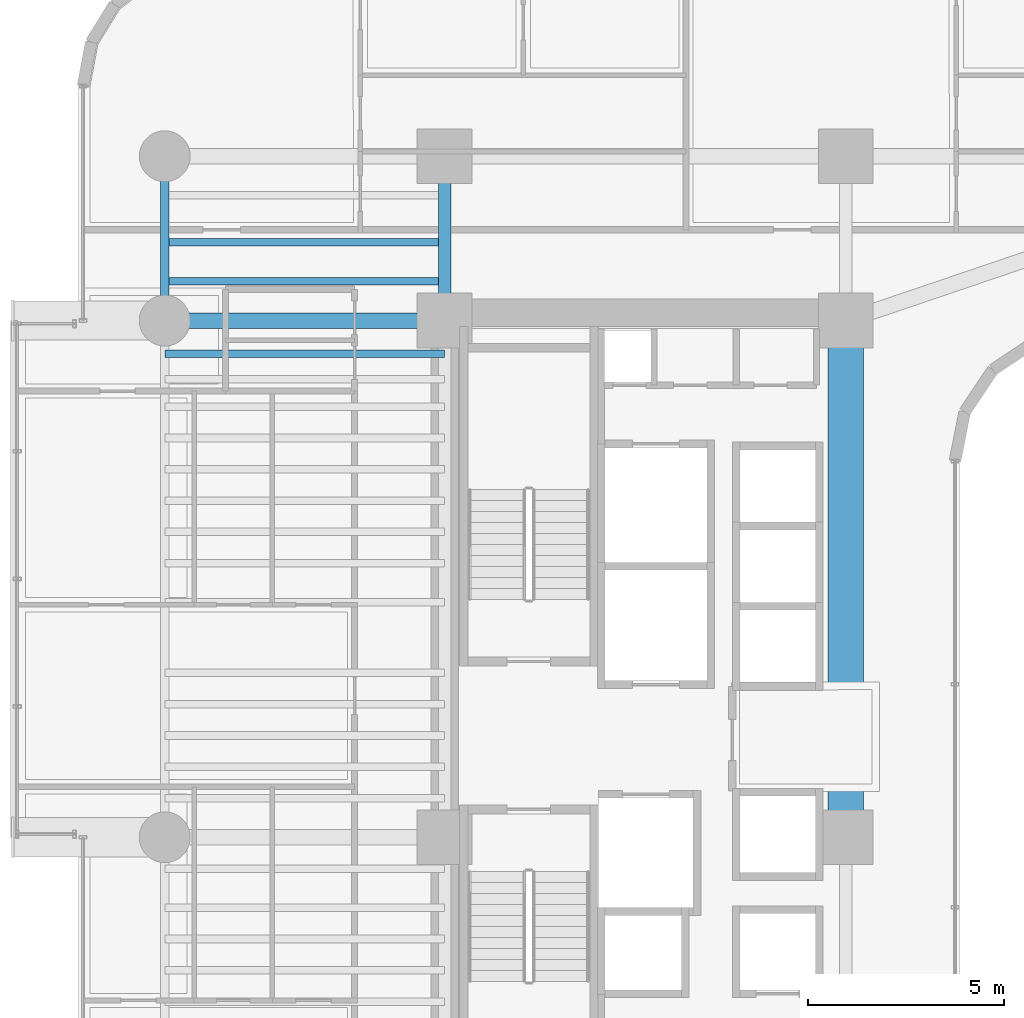
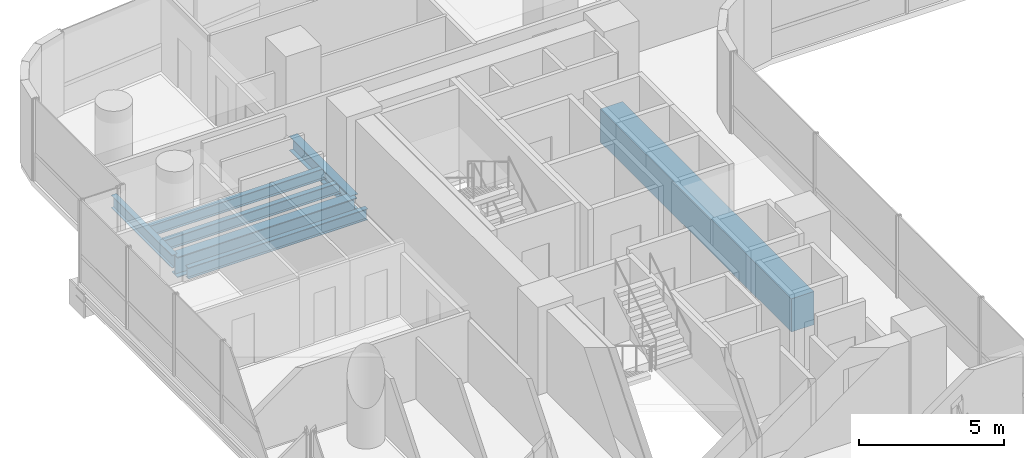
# One storey, part 9 of 40: 7 beams.
"""IFC4 building model written with IfcOpenShell, lengths in metres."""

from ifc_helpers import new_model, si_unit, direction, frame, origin, origin_2d, place, context, subcontext, project, spatial, rectangle, i_section, extrude, source, transform, mapped, material, material_profile, profile_set, type_object, element, save


model = new_model("IFC4")

# Units and contexts
model_context = context("Model", 3, precision=1e-05, world=origin(), true_north=direction((0.0, 1.0)))
body_context = subcontext(model_context, "Body", "Model", "MODEL_VIEW")
ifc_project = project(units=[si_unit("LENGTHUNIT", "METRE"), si_unit("AREAUNIT", "SQUARE_METRE"), si_unit("VOLUMEUNIT", "CUBIC_METRE"), si_unit("PLANEANGLEUNIT", "RADIAN"), si_unit("MASSUNIT", "GRAM", prefix="KILO")], contexts=[model_context])

# Site, building, storey
site_placement = place(None, origin())
site = spatial("IfcSite", under=ifc_project, at=site_placement, CompositionType="ELEMENT")
building_placement = place(site_placement, origin())
building = spatial("IfcBuilding", under=site, at=building_placement, Name="Valdorenza Pilgrim Sanctuary Tower", CompositionType="ELEMENT")
storey_placement = place(building_placement, frame((0.0, 0.0, 40.800048828125)))
storey = spatial("IfcBuildingStorey", under=building, at=storey_placement, Name="L09", CompositionType="ELEMENT", Elevation=40.800048828125)

# Beams
ifc_material_1 = material(Name="Concrete C60/75", Category="concrete")
ifc_material_profile_1 = material_profile(ifc_material_1, rectangle(XDim=0.89990234375, YDim=1.39990234375, at=origin_2d()), Name="RC 1400x900")
ifc_profile_set_1 = profile_set([ifc_material_profile_1], Name="Concrete C60/75")
beam_type_1 = type_object("IfcBeamType", Name="STR-BM-LNT-1400", PredefinedType="LINTEL", material=ifc_profile_set_1)
shared_shape_1 = source(origin(), body_context, "Body", "SweptSolid", [
    extrude(rectangle(XDim=0.89990234375, YDim=1.39990234375, at=origin_2d()), origin(), (0.0, 0.0, 1.0), 13.2001953125),
])
beam_1_placement = place(storey_placement, frame((-12.39990234375, -2.60009765625, -0.739990234375), z_axis=(0.0, 1.0, 0.0), x_axis=(-1.0, 0.0, 0.0)))
element("IfcBeam", 1, at=beam_1_placement, inside=storey, type_object=beam_type_1, Name="L09 Core A Coupling Lintel Girder", PredefinedType="LINTEL", context=body_context, shape_type="MappedRepresentation", body=[
    mapped(shared_shape_1, transform((0.0, 0.0, 0.0), x_axis=(1.0, 0.0, 0.0), y_axis=(0.0, 1.0, 0.0), z_axis=(0.0, 0.0, 1.0), scale=1.0)),
])
ifc_material_2 = material(Name="Steel ASTM A992 Grade 50", Category="steel")
ifc_material_profile_2 = material_profile(ifc_material_2, i_section(OverallWidth=0.214111328125, OverallDepth=0.549072265625, WebThickness=0.0146484375, FlangeThickness=0.023681640625, at=origin_2d()), Name="W21X93")
ifc_profile_set_2 = profile_set([ifc_material_profile_2], Name="Steel ASTM A992 Grade 50")
beam_type_2 = type_object("IfcBeamType", Name="STR-BM-SPN-W21A", PredefinedType="SPANDREL", material=ifc_profile_set_2)
shared_shape_2 = source(origin(), body_context, "Body", "SweptSolid", [
    extrude(i_section(OverallWidth=0.214111328125, OverallDepth=0.549072265625, WebThickness=0.0146484375, FlangeThickness=0.023681640625, at=origin_2d()), origin(), (0.0, 0.0, 1.0), 4.199951171875),
])
beam_2_placement = place(storey_placement, frame((-29.800048828125, 10.60009765625, -0.5146484375), z_axis=(0.0, 1.0, 0.0), x_axis=(-1.0, 0.0, 0.0)))
element("IfcBeam", 2, at=beam_2_placement, inside=storey, type_object=beam_type_2, Name="L09 Spandrel Beam WA-W-N1N2", PredefinedType="SPANDREL", context=body_context, shape_type="MappedRepresentation", body=[
    mapped(shared_shape_2, transform((0.0, 0.0, 0.0), x_axis=(1.0, 0.0, 0.0), y_axis=(0.0, 1.0, 0.0), z_axis=(0.0, 0.0, 1.0), scale=1.0)),
])
ifc_material_profile_3 = material_profile(ifc_material_2, i_section(OverallWidth=0.323974609375, OverallDepth=0.611083984375, WebThickness=0.0126953125, FlangeThickness=0.01904296875, at=origin_2d()), Name="W24X104")
ifc_profile_set_3 = profile_set([ifc_material_profile_3], Name="Steel ASTM A992 Grade 50")
beam_type_3 = type_object("IfcBeamType", Name="STR-BM-GRD-W24B", PredefinedType="BEAM", material=ifc_profile_set_3)
shared_shape_3 = source(origin(), body_context, "Body", "SweptSolid", [
    extrude(i_section(OverallWidth=0.323974609375, OverallDepth=0.611083984375, WebThickness=0.0126953125, FlangeThickness=0.01904296875, at=origin_2d()), origin(), (0.0, 0.0, 1.0), 4.199951171875),
])
beam_3_placement = place(storey_placement, frame((-22.64990234375, 10.60009765625, -0.545654296875), z_axis=(0.0, 1.0, 0.0), x_axis=(-1.0, 0.0, 0.0)))
element("IfcBeam", 3, at=beam_3_placement, inside=storey, type_object=beam_type_3, Name="L09 Core Tie Girder CA-W-N1N2", PredefinedType="BEAM", context=body_context, shape_type="MappedRepresentation", body=[
    mapped(shared_shape_3, transform((0.0, 0.0, 0.0), x_axis=(1.0, 0.0, 0.0), y_axis=(0.0, 1.0, 0.0), z_axis=(0.0, 0.0, 1.0), scale=1.0)),
])
ifc_material_profile_4 = material_profile(ifc_material_2, i_section(OverallWidth=0.193115234375, OverallDepth=0.466064453125, WebThickness=0.011474609375, FlangeThickness=0.01904296875, at=origin_2d()), Name="W18X65")
ifc_profile_set_4 = profile_set([ifc_material_profile_4], Name="Steel ASTM A992 Grade 50")
beam_type_4 = type_object("IfcBeamType", Name="STR-BM-JST-W18A", PredefinedType="JOIST", material=ifc_profile_set_4)
shared_shape_4 = source(origin(), body_context, "Body", "SweptSolid", [
    extrude(i_section(OverallWidth=0.193115234375, OverallDepth=0.466064453125, WebThickness=0.011474609375, FlangeThickness=0.01904296875, at=origin_2d()), origin(), (0.0, 0.0, 1.0), 7.150146484375),
])
for number, where, z_axis, x_axis, name in (
    (4, (-29.800048828125, 9.75, -0.47314453125), (1.0, 0.0, 0.0), (0.0, 1.0, 0.0), "L09 Composite Floor Joist JST-WA-23"),
    (5, (-29.800048828125, 11.60009765625, -0.47314453125), (1.0, 0.0, 0.0), (0.0, 1.0, 0.0), "L09 Composite Floor Joist JST-WA-24"),
    (6, (-29.800048828125, 12.60009765625, -0.47314453125), (1.0, 0.0, 0.0), (0.0, 1.0, 0.0), "L09 Composite Floor Joist JST-WA-25"),
):
    element("IfcBeam", number, at=place(storey_placement, frame(where, z_axis=z_axis, x_axis=x_axis)), inside=storey, type_object=beam_type_4, Name=name, PredefinedType="JOIST", context=body_context, shape_type="MappedRepresentation", body=[
        mapped(shared_shape_4, transform((0.0, 0.0, 0.0), x_axis=(1.0, 0.0, 0.0), y_axis=(0.0, 1.0, 0.0), z_axis=(0.0, 0.0, 1.0), scale=1.0)),
    ])
ifc_material_profile_5 = material_profile(ifc_material_2, i_section(OverallWidth=0.39990234375, OverallDepth=0.862060546875, WebThickness=0.019775390625, FlangeThickness=0.032470703125, at=origin_2d()), Name="W33X221")
ifc_profile_set_5 = profile_set([ifc_material_profile_5], Name="Steel ASTM A992 Grade 50")
beam_type_5 = type_object("IfcBeamType", Name="STR-BM-GRD-W33", PredefinedType="BEAM", material=ifc_profile_set_5)
shared_shape_5 = source(origin(), body_context, "Body", "SweptSolid", [
    extrude(i_section(OverallWidth=0.39990234375, OverallDepth=0.862060546875, WebThickness=0.019775390625, FlangeThickness=0.032470703125, at=origin_2d()), origin(), (0.0, 0.0, 1.0), 7.150146484375),
])
beam_4_placement = place(storey_placement, frame((-29.800048828125, 10.60009765625, -0.671142578125), z_axis=(1.0, 0.0, 0.0), x_axis=(0.0, 1.0, 0.0)))
element("IfcBeam", 7, at=beam_4_placement, inside=storey, type_object=beam_type_5, Name="L09 Floor Girder WA-XW-N1", PredefinedType="BEAM", context=body_context, shape_type="MappedRepresentation", body=[
    mapped(shared_shape_5, transform((0.0, 0.0, 0.0), x_axis=(1.0, 0.0, 0.0), y_axis=(0.0, 1.0, 0.0), z_axis=(0.0, 0.0, 1.0), scale=1.0)),
])

save(model, "model.ifc")
